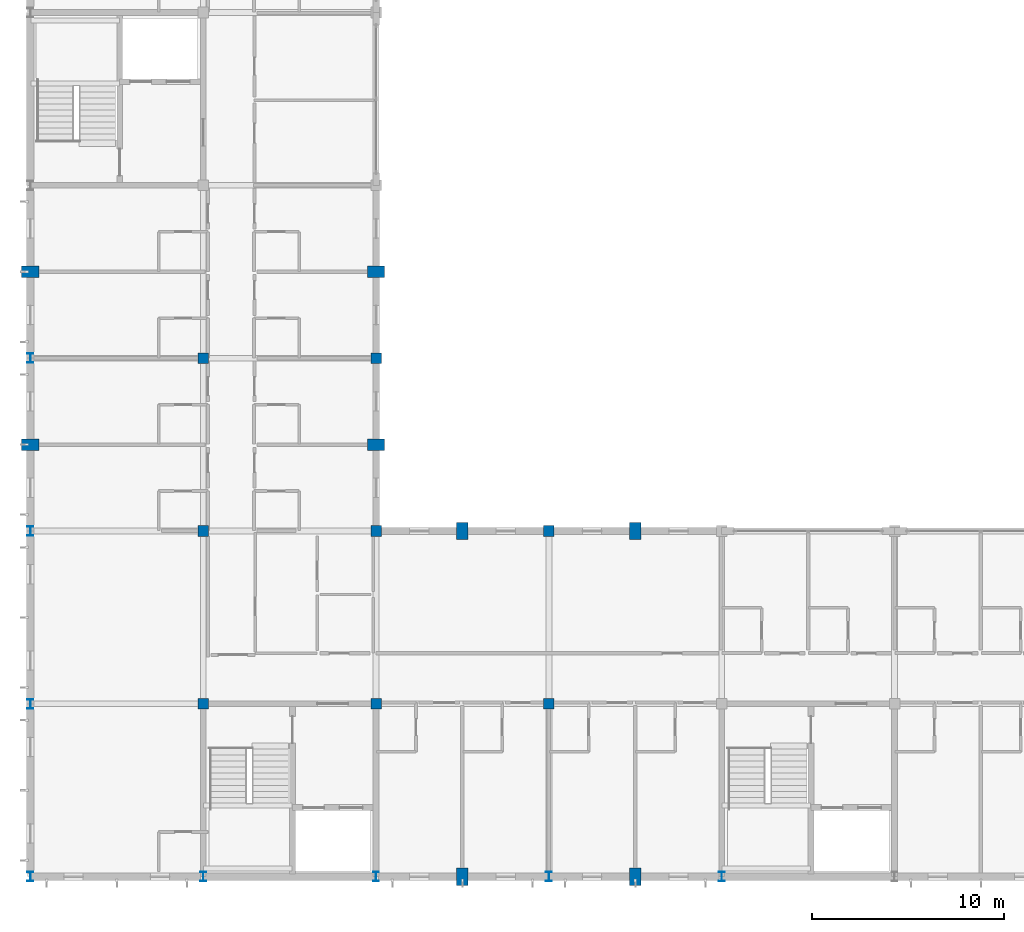
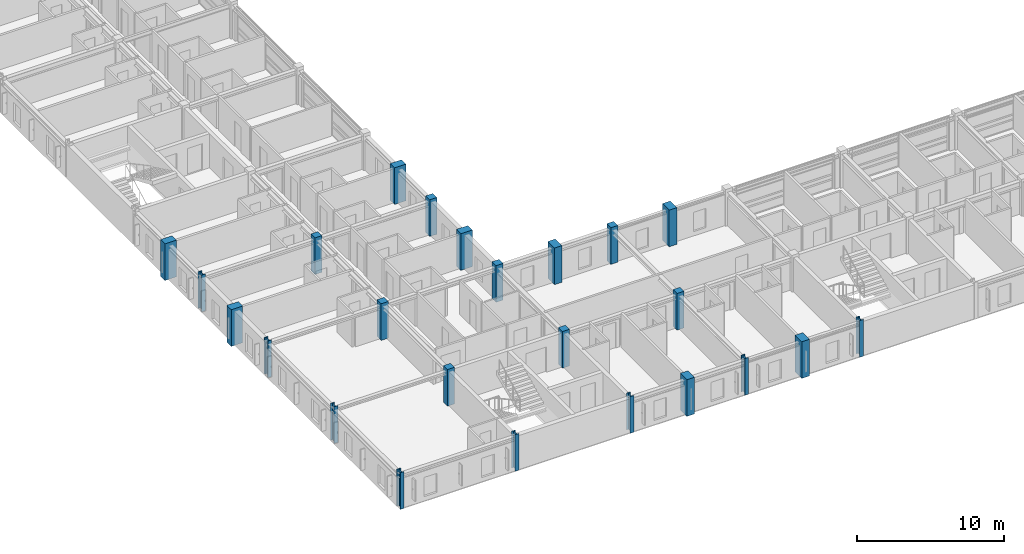
# One storey, part 1 of 37: 24 columns.
"""IFC4 building model written with IfcOpenShell, lengths in metres."""

import ifcopenshell
import ifcopenshell.guid

model = None  # the IFC model being written
_history = None  # IfcOwnerHistory: only IFC2X3 demands one
_inside = {}  # id of a spatial element -> (the spatial element, [elements in it])
_under = {}  # id of a project, library or spatial element -> (it, [spatial elements below it])
_declared = {}  # id of a project -> (the project, [libraries it declares])
_typed = {}  # id of a type object -> (the type object, [elements of that type])
_made_of = {}  # id of a material, layer set ... -> (it, [elements and type objects made of it])


def new_model(schema):
    """Start an empty IFC model of exactly this schema.

    Asked for "IFC4X3", IfcOpenShell would pick the latest addendum, in which some entities
    have other attributes; the version numbers below select the first issue.
    IFC2X3 requires an IfcOwnerHistory on every rooted entity: one is made here for all.
    """
    global model, _history
    if schema == "IFC4X3":
        model = ifcopenshell.file(schema_version=(4, 3, 0, 0))
    else:
        model = ifcopenshell.file(schema=schema)
    _inside.clear()
    _under.clear()
    _declared.clear()
    _typed.clear()
    _made_of.clear()
    _history = None
    if model.schema == "IFC2X3":
        org = make("IfcOrganization", Name="unknown")
        user = make(
            "IfcPersonAndOrganization",
            ThePerson=make("IfcPerson", FamilyName="unknown"),
            TheOrganization=org,
        )
        app = make(
            "IfcApplication",
            ApplicationDeveloper=org,
            Version="unknown",
            ApplicationFullName="unknown",
            ApplicationIdentifier="unknown",
        )
        _history = make(
            "IfcOwnerHistory",
            OwningUser=user,
            OwningApplication=app,
            ChangeAction="ADDED",
            CreationDate=0,
        )
    return model


def make(cls, **values):
    """One entity of the class cls with the attributes given. An attribute that is None is left unset."""
    return model.create_entity(
        cls, **{name: value for name, value in values.items() if value is not None}
    )


def rooted(cls, **values):
    """An entity with a GlobalId (a new one), such as an element, a storey or a relation."""
    return make(cls, GlobalId=ifcopenshell.guid.new(), OwnerHistory=_history, **values)


def si_unit(unit_type, name, prefix=None):
    """IfcSIUnit, for example si_unit("LENGTHUNIT", "METRE", prefix="MILLI")."""
    return make("IfcSIUnit", UnitType=unit_type, Prefix=prefix, Name=name)


def assignment(units):
    """IfcUnitAssignment: the units of a project."""
    return None if units is None else make("IfcUnitAssignment", Units=units)


def point(xyz):
    """IfcCartesianPoint."""
    return None if xyz is None else make("IfcCartesianPoint", Coordinates=xyz)


def direction(xyz):
    """IfcDirection."""
    return None if xyz is None else make("IfcDirection", DirectionRatios=xyz)


def frame(location, z_axis=None, x_axis=None):
    """IfcAxis2Placement3D, a coordinate frame: its origin and axes. An axis left out is left unset."""
    return make(
        "IfcAxis2Placement3D",
        Location=point(location),
        Axis=direction(z_axis),
        RefDirection=direction(x_axis),
    )


def frame_2d(location, x_axis=None):
    """IfcAxis2Placement2D, a coordinate frame in the plane: its origin and x axis."""
    return make(
        "IfcAxis2Placement2D", Location=point(location), RefDirection=direction(x_axis)
    )


def origin():
    """The frame at (0, 0, 0) with its axes left unset."""
    return frame((0.0, 0.0, 0.0))


def origin_2d():
    """The frame at (0, 0) in the plane with its x axis left unset."""
    return frame_2d((0.0, 0.0))


def place(relative_to, where):
    """IfcLocalPlacement: puts the frame where relative to a parent placement (None: the world)."""
    return make(
        "IfcLocalPlacement", PlacementRelTo=relative_to, RelativePlacement=where
    )


def context(
    kind, dimensions, precision=None, world=None, true_north=None, identifier=None
):
    """IfcGeometricRepresentationContext, for example the 3D "Model" context."""
    return make(
        "IfcGeometricRepresentationContext",
        ContextIdentifier=identifier,
        ContextType=kind,
        CoordinateSpaceDimension=dimensions,
        Precision=precision,
        WorldCoordinateSystem=world,
        TrueNorth=true_north,
    )


def subcontext(parent, identifier, kind, view, scale=None):
    """IfcGeometricRepresentationSubContext, for example "Body" below "Model"."""
    return make(
        "IfcGeometricRepresentationSubContext",
        ContextIdentifier=identifier,
        ContextType=kind,
        ParentContext=parent,
        TargetScale=scale,
        TargetView=view,
    )


def project(units=None, contexts=None):
    """IfcProject with its units and contexts."""
    return rooted(
        "IfcProject",
        Name="project",
        RepresentationContexts=contexts,
        UnitsInContext=assignment(units),
    )


def spatial(cls, under=None, at=None, **own):
    """A site, building, storey or space (cls), placed at a placement, below another one or the project."""
    s = rooted(cls, ObjectPlacement=at, **own)
    if under is not None:
        _under.setdefault(under.id(), (under, []))[1].append(s)
    return s


def profile(cls, at=None, kind="AREA", **sizes):
    """A parametric profile (cls). Its sizes go by their IFC names, for example OverallWidth=200.0."""
    return make(cls, ProfileType=kind, Position=at, **sizes)


def rectangle(**sizes):
    """IfcRectangleProfileDef."""
    return profile("IfcRectangleProfileDef", **sizes)


def i_section(**sizes):
    """IfcIShapeProfileDef."""
    return profile("IfcIShapeProfileDef", **sizes)


def extrude(swept, where, along, depth):
    """IfcExtrudedAreaSolid: the profile swept, set in the frame where, extruded along a direction by depth."""
    return make(
        "IfcExtrudedAreaSolid",
        SweptArea=swept,
        Position=where,
        ExtrudedDirection=direction(along),
        Depth=depth,
    )


def shape(context_of_items, identifier, shape_type, items):
    """IfcShapeRepresentation: the items that make up one representation, for example the "Body"."""
    return make(
        "IfcShapeRepresentation",
        ContextOfItems=context_of_items,
        RepresentationIdentifier=identifier,
        RepresentationType=shape_type,
        Items=items,
    )


def material(Name=None, Category=None):
    """IfcMaterial."""
    return make("IfcMaterial", Name=Name, Category=Category)


def material_profile(
    of_material, cross_section, Name=None, Category=None, Priority=None
):
    """IfcMaterialProfile: a cross section and its material."""
    return make(
        "IfcMaterialProfile",
        Name=Name,
        Material=of_material,
        Profile=cross_section,
        Priority=Priority,
        Category=Category,
    )


def profile_set(profiles, Name=None, composite=None):
    """IfcMaterialProfileSet."""
    return make(
        "IfcMaterialProfileSet",
        Name=Name,
        MaterialProfiles=profiles,
        CompositeProfile=composite,
    )


def made_of(thing, what):
    """Note that an element or type object is made of a material, layer set ...; save() writes the relation."""
    if what is not None:
        _made_of.setdefault(what.id(), (what, []))[1].append(thing)
    return thing


def type_object(cls, material=None, **own):
    """A type object (cls), such as IfcWallType, which elements share."""
    return made_of(rooted(cls, **own), material)


def element(
    cls,
    number,
    at=None,
    inside=None,
    cuts=None,
    type_object=None,
    material=None,
    context=None,
    identifier="Body",
    shape_type=None,
    held_by="IfcProductDefinitionShape",
    body=None,
    shapes=None,
    **own,
):
    """One element of the class cls, such as IfcWall. Its Tag is "e" and its number.

    at: its placement. inside: the storey or other place that contains it. cuts: it is an
    opening in that element (IfcRelVoidsElement). A single representation is given by context,
    identifier, shape_type and body (its items); several are given by shapes. held_by: the class
    of the entity that holds the representations. save() writes the other relations.
    """
    e = rooted(cls, Tag="e%d" % number, ObjectPlacement=at, **own)
    if body is not None:
        shapes = [shape(context, identifier, shape_type, body)]
    if shapes is not None:
        e.Representation = make(held_by, Representations=shapes)
    if inside is not None:
        _inside.setdefault(inside.id(), (inside, []))[1].append(e)
    if cuts is not None:
        rooted(
            "IfcRelVoidsElement", RelatingBuildingElement=cuts, RelatedOpeningElement=e
        )
    if type_object is not None:
        _typed.setdefault(type_object.id(), (type_object, []))[1].append(e)
    return made_of(e, material)


def aggregate(whole, parts):
    """IfcRelAggregates: a whole, such as a stair, and the parts it consists of."""
    return rooted("IfcRelAggregates", RelatingObject=whole, RelatedObjects=parts)


def save(model, path):
    """Write the relations noted so far, then the file.

    IfcRelAggregates (storeys below a building ...), IfcRelContainedInSpatialStructure (elements
    in a storey), IfcRelDefinesByType, IfcRelAssociatesMaterial and IfcRelDeclares: one each for
    every whole, place, type object, material and project.
    """
    for whole, parts in _under.values():
        aggregate(whole, parts)
    for where, things in _inside.values():
        rooted(
            "IfcRelContainedInSpatialStructure",
            RelatedElements=things,
            RelatingStructure=where,
        )
    for kind, things in _typed.values():
        rooted("IfcRelDefinesByType", RelatedObjects=things, RelatingType=kind)
    for what, things in _made_of.values():
        rooted("IfcRelAssociatesMaterial", RelatedObjects=things, RelatingMaterial=what)
    for by, libraries in _declared.values():
        rooted("IfcRelDeclares", RelatingContext=by, RelatedDefinitions=libraries)
    model.write(path)


model = new_model("IFC4")

# Units and contexts
model_context = context("Model", 3, precision=1e-05, world=origin(), true_north=direction((0.0, 1.0)))
body_context = subcontext(model_context, "Body", "Model", "MODEL_VIEW")
ifc_project = project(units=[si_unit("LENGTHUNIT", "METRE"), si_unit("AREAUNIT", "SQUARE_METRE"), si_unit("VOLUMEUNIT", "CUBIC_METRE"), si_unit("PLANEANGLEUNIT", "RADIAN"), si_unit("MASSUNIT", "GRAM", prefix="KILO")], contexts=[model_context])

# Site, building, storey
site_placement = place(None, origin())
site = spatial("IfcSite", under=ifc_project, at=site_placement, CompositionType="ELEMENT")
building_placement = place(site_placement, origin())
building = spatial("IfcBuilding", under=site, at=building_placement, Name="Palais des Congres Ocreval", CompositionType="ELEMENT")
storey_placement = place(building_placement, frame((0.0, 0.0, 11.52001953125)))
storey = spatial("IfcBuildingStorey", under=building, at=storey_placement, Name="L03", CompositionType="ELEMENT", Elevation=11.52001953125)

# Columns
ifc_material_1 = material(Name="Steel S355", Category="steel")
ifc_material_profile_1 = material_profile(ifc_material_1, i_section(OverallWidth=0.300048828125, OverallDepth=0.5, WebThickness=0.014404296875, FlangeThickness=0.028076171875, at=origin_2d()), Name="HEB 500")
ifc_profile_set_1 = profile_set([ifc_material_profile_1], Name="Steel S355")
column_type_1 = type_object("IfcColumnType", Name="Column HEB 500 Steel S355", PredefinedType="COLUMN", material=ifc_profile_set_1)
for number, where, z_axis, x_axis, name in (
    (1, (0.0, 0.0, 0.0), (0.0, 0.0, 1.0), (1.0, 0.0, 0.0), "Column C08 L03"),
    (2, (0.0, 9.0, 0.0), (0.0, 0.0, 1.0), (1.0, 0.0, 0.0), "Column C08 L03"),
    (3, (0.0, 18.0, 0.0), (0.0, 0.0, 1.0), (1.0, 0.0, 0.0), "Column C08 L03"),
    (4, (0.0, 27.0, 0.0), (0.0, 0.0, 1.0), (1.0, 0.0, 0.0), "Column C08 L03"),
    (5, (9.0, 0.0, 0.0), (0.0, 0.0, 1.0), (1.0, 0.0, 0.0), "Column C08 L03"),
    (6, (18.0, 0.0, 0.0), (0.0, 0.0, 1.0), (1.0, 0.0, 0.0), "Column C08 L03"),
    (7, (27.0, 0.0, 0.0), (0.0, 0.0, 1.0), (1.0, 0.0, 0.0), "Column C08 L03"),
    (8, (36.0, 0.0, 0.0), (0.0, 0.0, 1.0), (1.0, 0.0, 0.0), "Column C08 L03"),
):
    element("IfcColumn", number, at=place(storey_placement, frame(where, z_axis=z_axis, x_axis=x_axis)), inside=storey, type_object=column_type_1, Name=name, PredefinedType="COLUMN", context=body_context, shape_type="SweptSolid", body=[
        extrude(i_section(OverallWidth=0.300048828125, OverallDepth=0.5, WebThickness=0.014404296875, FlangeThickness=0.028076171875, at=origin_2d()), origin(), (0.0, 0.0, 1.0), 3.0400390625),
    ])
ifc_material_2 = material(Name="Concrete C40/50", Category="concrete")
ifc_material_profile_2 = material_profile(ifc_material_2, rectangle(XDim=0.550048828125, YDim=0.550048828125, at=origin_2d()), Name="RC 550x550")
ifc_profile_set_2 = profile_set([ifc_material_profile_2], Name="Concrete C40/50")
column_type_2 = type_object("IfcColumnType", Name="Column RC 550x550 Concrete C40/50", PredefinedType="COLUMN", material=ifc_profile_set_2)
for number, where, z_axis, x_axis, name in (
    (9, (9.0, 9.0, 0.0), (0.0, 0.0, 1.0), (1.0, 0.0, 0.0), "Column C24 L03"),
    (10, (9.0, 18.0, 0.0), (0.0, 0.0, 1.0), (1.0, 0.0, 0.0), "Column C24 L03"),
    (11, (9.0, 27.0, 0.0), (0.0, 0.0, 1.0), (1.0, 0.0, 0.0), "Column C24 L03"),
    (12, (18.0, 9.0, 0.0), (0.0, 0.0, 1.0), (1.0, 0.0, 0.0), "Column C24 L03"),
    (13, (18.0, 18.0, 0.0), (0.0, 0.0, 1.0), (1.0, 0.0, 0.0), "Column C24 L03"),
    (14, (18.0, 27.0, 0.0), (0.0, 0.0, 1.0), (1.0, 0.0, 0.0), "Column C24 L03"),
    (15, (27.0, 9.0, 0.0), (0.0, 0.0, 1.0), (1.0, 0.0, 0.0), "Column C24 L03"),
    (16, (27.0, 18.0, 0.0), (0.0, 0.0, 1.0), (1.0, 0.0, 0.0), "Column C24 L03"),
):
    element("IfcColumn", number, at=place(storey_placement, frame(where, z_axis=z_axis, x_axis=x_axis)), inside=storey, type_object=column_type_2, Name=name, PredefinedType="COLUMN", context=body_context, shape_type="SweptSolid", body=[
        extrude(rectangle(XDim=0.550048828125, YDim=0.550048828125, at=origin_2d()), origin(), (0.0, 0.0, 1.0), 3.0400390625),
    ])
ifc_material_profile_3 = material_profile(ifc_material_2, rectangle(XDim=0.60009765625, YDim=0.89990234375, at=origin_2d()), Name="RC 600x900")
ifc_profile_set_3 = profile_set([ifc_material_profile_3], Name="Concrete C40/50")
column_type_3 = type_object("IfcColumnType", Name="Pilaster RC 600x900 Concrete C40/50", PredefinedType="PILASTER", material=ifc_profile_set_3)
for number, where, z_axis, x_axis, name in (
    (17, (22.5, 0.0, 0.0), (0.0, 0.0, 1.0), (1.0, 0.0, 0.0), "Perimeter Pilaster PL01 L03"),
    (18, (31.5, 0.0, 0.0), (0.0, 0.0, 1.0), (1.0, 0.0, 0.0), "Perimeter Pilaster PL01 L03"),
    (19, (22.5, 18.0, 0.0), (0.0, 0.0, 1.0), (1.0, 0.0, 0.0), "Perimeter Pilaster PL01 L03"),
    (20, (31.5, 18.0, 0.0), (0.0, 0.0, 1.0), (1.0, 0.0, 0.0), "Perimeter Pilaster PL01 L03"),
    (21, (0.0, 22.5, 0.0), (0.0, 0.0, 1.0), (0.0, 1.0, 0.0), "Perimeter Pilaster PL01 L03"),
    (22, (0.0, 31.5, 0.0), (0.0, 0.0, 1.0), (0.0, 1.0, 0.0), "Perimeter Pilaster PL01 L03"),
    (23, (18.0, 22.5, 0.0), (0.0, 0.0, 1.0), (0.0, 1.0, 0.0), "Perimeter Pilaster PL01 L03"),
    (24, (18.0, 31.5, 0.0), (0.0, 0.0, 1.0), (0.0, 1.0, 0.0), "Perimeter Pilaster PL01 L03"),
):
    element("IfcColumn", number, at=place(storey_placement, frame(where, z_axis=z_axis, x_axis=x_axis)), inside=storey, type_object=column_type_3, Name=name, PredefinedType="PILASTER", context=body_context, shape_type="SweptSolid", body=[
        extrude(rectangle(XDim=0.60009765625, YDim=0.89990234375, at=origin_2d()), origin(), (0.0, 0.0, 1.0), 3.0400390625),
    ])

save(model, "model.ifc")
